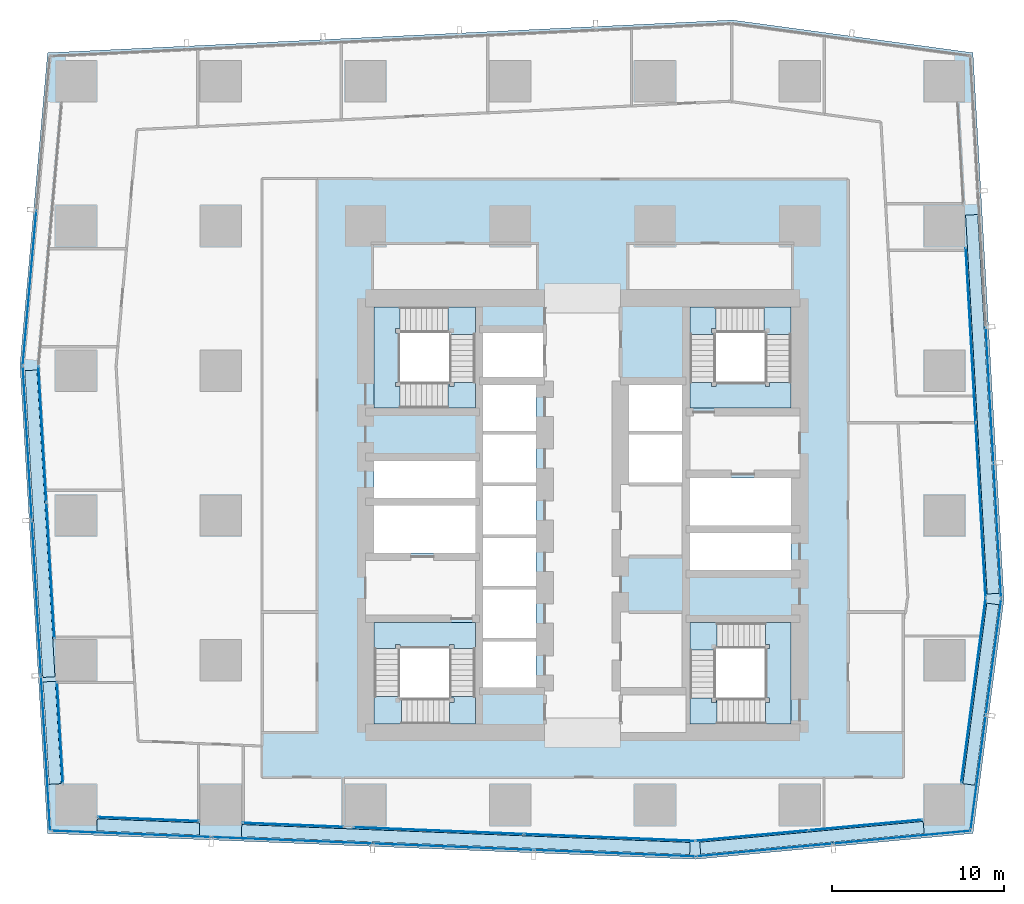
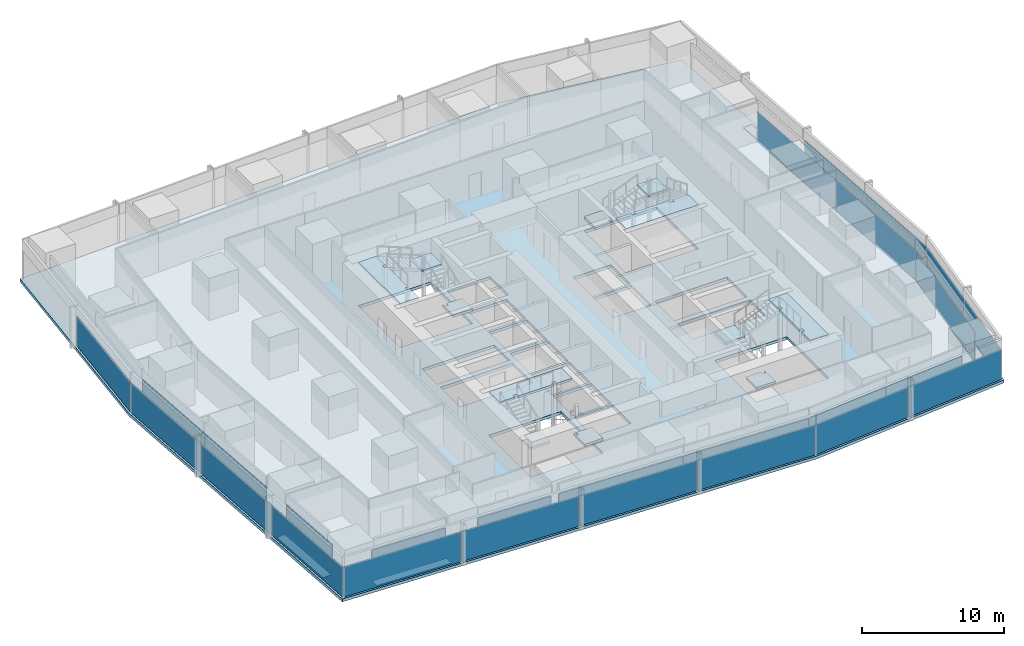
# One storey, part 23 of 37: 33 plates, 13 slabs, 18 elements without a shape of their own.
"""IFC4 building model written with IfcOpenShell, lengths in metres."""

from ifc_helpers import new_model, si_unit, direction, frame, origin, origin_2d, place, context, subcontext, project, spatial, polyline, rectangle, outline, extrude, material, layer, layer_set, type_object, element, aggregate, save


model = new_model("IFC4")

# Units and contexts
model_context = context("Model", 3, precision=1e-05, world=origin(), true_north=direction((0.0, 1.0)))
body_context = subcontext(model_context, "Body", "Model", "MODEL_VIEW")
ifc_project = project(units=[si_unit("LENGTHUNIT", "METRE"), si_unit("AREAUNIT", "SQUARE_METRE"), si_unit("VOLUMEUNIT", "CUBIC_METRE"), si_unit("PLANEANGLEUNIT", "RADIAN"), si_unit("MASSUNIT", "GRAM", prefix="KILO")], contexts=[model_context])

# Site, building, storey
site_placement = place(None, origin())
site = spatial("IfcSite", under=ifc_project, at=site_placement, CompositionType="ELEMENT")
building_placement = place(site_placement, origin())
building = spatial("IfcBuilding", under=site, at=building_placement, Name="Rekha Terrace Tower", CompositionType="ELEMENT")
storey_placement = place(building_placement, frame((0.0, 0.0, 228.949951171875)))
storey = spatial("IfcBuildingStorey", under=building, at=storey_placement, Name="L58", CompositionType="ELEMENT", Elevation=228.949951171875)

# Curtain wall, plate
ifc_material_1 = material(Name="Aluminium framing", Category="aluminium")
curtain_wall_type_1 = type_object("IfcCurtainWallType", Name="CW1 double skin inner glazing", PredefinedType="USERDEFINED", material=ifc_material_1)
curtain_wall_1_placement = place(storey_placement, origin())
curtain_wall_1 = element("IfcCurtainWall", 1, at=curtain_wall_1_placement, inside=storey, type_object=curtain_wall_type_1, Name="CW1 double skin inner glazing", ObjectType="DOUBLE SKIN INNER GLAZING", PredefinedType="USERDEFINED")
ifc_material_2 = material(Name="Double-glazed low-e unit 32", Category="glass")
ifc_layer_1 = layer(ifc_material_2, 0.031982421875)
ifc_layer_set_1 = layer_set([ifc_layer_1], Name="Double-glazed low-e unit 32")
plate_type_1 = type_object("IfcPlateType", Name="CW1 jumbo vision panel, double-glazed low-e unit 32", PredefinedType="CURTAIN_PANEL", material=ifc_layer_set_1)
plate_1_placement = place(storey_placement, frame((12.60009765625, 15.977294921875, 0.0), z_axis=(0.0, 0.0, 1.0), x_axis=(0.999204775798, -0.039872497078, 0.0)))
plate_1 = element("IfcPlate", 2, at=plate_1_placement, type_object=plate_type_1, Name="CW1 panel 1.1", PredefinedType="CURTAIN_PANEL", context=body_context, shape_type="SweptSolid", body=[
    extrude(rectangle(XDim=5.8271484375, YDim=0.031982421875, at=origin_2d()), origin(), (0.0, 0.0, 1.0), 2.60009765625),
])
aggregate(curtain_wall_1, [plate_1])

curtain_wall_2_placement = place(storey_placement, origin())
curtain_wall_2 = element("IfcCurtainWall", 3, at=curtain_wall_2_placement, inside=storey, type_object=curtain_wall_type_1, Name="CW1 double skin inner glazing", ObjectType="DOUBLE SKIN INNER GLAZING", PredefinedType="USERDEFINED")
plate_2_placement = place(storey_placement, frame((21.0, 15.64208984375, 0.0), z_axis=(0.0, 0.0, 1.0), x_axis=(0.999204775798, -0.039872497078, 0.0)))
plate_2 = element("IfcPlate", 4, at=plate_2_placement, type_object=plate_type_1, Name="CW1 panel 1.1", PredefinedType="CURTAIN_PANEL", context=body_context, shape_type="SweptSolid", body=[
    extrude(rectangle(XDim=5.8271484375, YDim=0.031982421875, at=origin_2d()), origin(), (0.0, 0.0, 1.0), 2.60009765625),
])
aggregate(curtain_wall_2, [plate_2])

# Curtain wall, plates
curtain_wall_3_placement = place(storey_placement, origin())
curtain_wall_3 = element("IfcCurtainWall", 5, at=curtain_wall_3_placement, inside=storey, type_object=curtain_wall_type_1, Name="CW1 double skin inner glazing", ObjectType="DOUBLE SKIN INNER GLAZING", PredefinedType="USERDEFINED")
plate_3_placement = place(storey_placement, frame((29.4365234375, 15.3056640625, 0.0), z_axis=(0.0, 0.0, 1.0), x_axis=(0.999204775799, -0.039872497044, 0.0)))
plate_3 = element("IfcPlate", 6, at=plate_3_placement, type_object=plate_type_1, Name="CW1 panel 1.1", PredefinedType="CURTAIN_PANEL", context=body_context, shape_type="SweptSolid", body=[
    extrude(rectangle(XDim=9.838134765625, YDim=0.031982421875, at=origin_2d()), origin(), (0.0, 0.0, 1.0), 2.60009765625),
])
plate_4_placement = place(storey_placement, frame((39.3642578125, 14.909423828125, 0.0), z_axis=(0.0, 0.0, 1.0), x_axis=(0.999204775799, -0.039872497044, 0.0)))
plate_4 = element("IfcPlate", 7, at=plate_4_placement, type_object=plate_type_1, Name="CW1 panel 2.1", PredefinedType="CURTAIN_PANEL", context=body_context, shape_type="SweptSolid", body=[
    extrude(rectangle(XDim=9.903076171875, YDim=0.031982421875, at=origin_2d()), origin(), (0.0, 0.0, 1.0), 2.60009765625),
])
aggregate(curtain_wall_3, [plate_3, plate_4])

curtain_wall_4_placement = place(storey_placement, origin())
curtain_wall_4 = element("IfcCurtainWall", 8, at=curtain_wall_4_placement, inside=storey, type_object=curtain_wall_type_1, Name="CW1 double skin inner glazing", ObjectType="DOUBLE SKIN INNER GLAZING", PredefinedType="USERDEFINED")
plate_5_placement = place(storey_placement, frame((47.642822265625, 15.022216796875, 0.0), z_axis=(0.0, 0.0, 1.0), x_axis=(0.995693258744, 0.092708869546, 0.0)))
plate_5 = element("IfcPlate", 9, at=plate_5_placement, type_object=plate_type_1, Name="CW1 panel 1.1", PredefinedType="CURTAIN_PANEL", context=body_context, shape_type="SweptSolid", body=[
    extrude(rectangle(XDim=6.560791015625, YDim=0.031982421875, at=origin_2d()), origin(), (0.0, 0.0, 1.0), 2.60009765625),
])
plate_6_placement = place(storey_placement, frame((54.240234375, 15.636474609375, 0.0), z_axis=(0.0, 0.0, 1.0), x_axis=(0.995693258744, 0.092708869546, 0.0)))
plate_6 = element("IfcPlate", 10, at=plate_6_placement, type_object=plate_type_1, Name="CW1 panel 2.1", PredefinedType="CURTAIN_PANEL", context=body_context, shape_type="SweptSolid", body=[
    extrude(rectangle(XDim=6.560791015625, YDim=0.031982421875, at=origin_2d()), origin(), (0.0, 0.0, 1.0), 2.60009765625),
])
aggregate(curtain_wall_4, [plate_5, plate_6])

# Curtain wall, plate
curtain_wall_5_placement = place(storey_placement, origin())
curtain_wall_5 = element("IfcCurtainWall", 11, at=curtain_wall_5_placement, inside=storey, type_object=curtain_wall_type_1, Name="CW1 double skin inner glazing", ObjectType="DOUBLE SKIN INNER GLAZING", PredefinedType="USERDEFINED")
plate_7_placement = place(storey_placement, frame((60.478515625, 23.438232421875, 0.0), z_axis=(0.0, 0.0, 1.0), x_axis=(0.131303603041, 0.991342203191, 0.0)))
plate_7 = element("IfcPlate", 12, at=plate_7_placement, type_object=plate_type_1, Name="CW1 panel 1.1", PredefinedType="CURTAIN_PANEL", context=body_context, shape_type="SweptSolid", body=[
    extrude(rectangle(XDim=10.7763671875, YDim=0.031982421875, at=origin_2d()), origin(), (0.0, 0.0, 1.0), 2.60009765625),
])
aggregate(curtain_wall_5, [plate_7])

# Curtain wall, plates
curtain_wall_6_placement = place(storey_placement, origin())
curtain_wall_6 = element("IfcCurtainWall", 13, at=curtain_wall_6_placement, inside=storey, type_object=curtain_wall_type_1, Name="CW1 double skin inner glazing", ObjectType="DOUBLE SKIN INNER GLAZING", PredefinedType="USERDEFINED")
plate_8_placement = place(storey_placement, frame((60.8955078125, 33.896484375, 0.0), z_axis=(0.0, 0.0, 1.0), x_axis=(-0.056673194877, 0.998392782918, 0.0)))
plate_8 = element("IfcPlate", 14, at=plate_8_placement, type_object=plate_type_1, Name="CW1 panel 1.1", PredefinedType="CURTAIN_PANEL", context=body_context, shape_type="SweptSolid", body=[
    extrude(rectangle(XDim=10.11962890625, YDim=0.031982421875, at=origin_2d()), origin(), (0.0, 0.0, 1.0), 2.60009765625),
])
plate_9_placement = place(storey_placement, frame((60.318359375, 44.06494140625, 0.0), z_axis=(0.0, 0.0, 1.0), x_axis=(-0.056673194877, 0.998392782918, 0.0)))
plate_9 = element("IfcPlate", 15, at=plate_9_placement, type_object=plate_type_1, Name="CW1 panel 2.1", PredefinedType="CURTAIN_PANEL", context=body_context, shape_type="SweptSolid", body=[
    extrude(rectangle(XDim=10.11962890625, YDim=0.031982421875, at=origin_2d()), origin(), (0.0, 0.0, 1.0), 2.60009765625),
])
aggregate(curtain_wall_6, [plate_8, plate_9])

curtain_wall_7_placement = place(storey_placement, origin())
curtain_wall_7 = element("IfcCurtainWall", 16, at=curtain_wall_7_placement, inside=storey, type_object=curtain_wall_type_1, Name="CW1 double skin inner glazing", ObjectType="DOUBLE SKIN INNER GLAZING", PredefinedType="USERDEFINED")
plate_10_placement = place(storey_placement, frame((6.44775390625, 38.323974609375, 0.0), z_axis=(0.0, 0.0, 1.0), x_axis=(0.058765082551, -0.998271839267, 0.0)))
plate_10 = element("IfcPlate", 17, at=plate_10_placement, type_object=plate_type_1, Name="CW1 panel 1.1", PredefinedType="CURTAIN_PANEL", context=body_context, shape_type="SweptSolid", body=[
    extrude(rectangle(XDim=7.864990234375, YDim=0.031982421875, at=origin_2d()), origin(), (0.0, 0.0, 1.0), 2.60009765625),
])
plate_11_placement = place(storey_placement, frame((6.91357421875, 30.407470703125, 0.0), z_axis=(0.0, 0.0, 1.0), x_axis=(0.058765082551, -0.998271839267, 0.0)))
plate_11 = element("IfcPlate", 18, at=plate_11_placement, type_object=plate_type_1, Name="CW1 panel 2.1", PredefinedType="CURTAIN_PANEL", context=body_context, shape_type="SweptSolid", body=[
    extrude(rectangle(XDim=7.864990234375, YDim=0.031982421875, at=origin_2d()), origin(), (0.0, 0.0, 1.0), 2.60009765625),
])
aggregate(curtain_wall_7, [plate_10, plate_11])

# Curtain wall, plate
curtain_wall_8_placement = place(storey_placement, origin())
curtain_wall_8 = element("IfcCurtainWall", 19, at=curtain_wall_8_placement, inside=storey, type_object=curtain_wall_type_1, Name="CW1 double skin inner glazing", ObjectType="DOUBLE SKIN INNER GLAZING", PredefinedType="USERDEFINED")
plate_12_placement = place(storey_placement, frame((7.467529296875, 21.0, 0.0), z_axis=(0.0, 0.0, 1.0), x_axis=(0.058765082499, -0.99827183927, 0.0)))
plate_12 = element("IfcPlate", 20, at=plate_12_placement, type_object=plate_type_1, Name="CW1 panel 1.1", PredefinedType="CURTAIN_PANEL", context=body_context, shape_type="SweptSolid", body=[
    extrude(rectangle(XDim=5.8291015625, YDim=0.031982421875, at=origin_2d()), origin(), (0.0, 0.0, 1.0), 2.60009765625),
])
aggregate(curtain_wall_8, [plate_12])

# Curtain wall, plates
curtain_wall_type_2 = type_object("IfcCurtainWallType", Name="CW2 double skin outer glazing", PredefinedType="USERDEFINED", material=ifc_material_1)
curtain_wall_9_placement = place(storey_placement, origin())
curtain_wall_9 = element("IfcCurtainWall", 21, at=curtain_wall_9_placement, inside=storey, type_object=curtain_wall_type_2, Name="CW2 double skin outer glazing", ObjectType="DOUBLE SKIN OUTER GLAZING", PredefinedType="USERDEFINED")
ifc_material_3 = material(Name="Toughened single glazing 12", Category="glass")
ifc_layer_2 = layer(ifc_material_3, 0.011962890625)
ifc_layer_set_2 = layer_set([ifc_layer_2], Name="Toughened single glazing 12")
plate_type_2 = type_object("IfcPlateType", Name="CW2 jumbo vision panel, toughened single glazing 12", PredefinedType="CURTAIN_PANEL", material=ifc_layer_set_2)
plate_13_placement = place(storey_placement, frame((11.6005859375, 15.116455078125, 0.0), z_axis=(0.0, 0.0, 1.0), x_axis=(0.999204775799, -0.039872497044, 0.0)))
plate_13 = element("IfcPlate", 22, at=plate_13_placement, type_object=plate_type_2, Name="CW2 panel 1.1", PredefinedType="CURTAIN_PANEL", context=body_context, shape_type="SweptSolid", body=[
    extrude(rectangle(XDim=9.24609375, YDim=0.011962890625, at=origin_2d()), origin(), (0.0, 0.0, 1.0), 2.60009765625),
])
plate_14_placement = place(storey_placement, frame((20.939208984375, 14.743896484375, 0.0), z_axis=(0.0, 0.0, 1.0), x_axis=(0.999204775799, -0.039872497044, 0.0)))
plate_14 = element("IfcPlate", 23, at=plate_14_placement, type_object=plate_type_2, Name="CW2 panel 2.1", PredefinedType="CURTAIN_PANEL", context=body_context, shape_type="SweptSolid", body=[
    extrude(rectangle(XDim=9.2861328125, YDim=0.011962890625, at=origin_2d()), origin(), (0.0, 0.0, 1.0), 2.60009765625),
])
plate_15_placement = place(storey_placement, frame((30.2978515625, 14.370361328125, 0.0), z_axis=(0.0, 0.0, 1.0), x_axis=(0.999204775799, -0.039872497044, 0.0)))
plate_15 = element("IfcPlate", 24, at=plate_15_placement, type_object=plate_type_2, Name="CW2 panel 3.1", PredefinedType="CURTAIN_PANEL", context=body_context, shape_type="SweptSolid", body=[
    extrude(rectangle(XDim=9.2861328125, YDim=0.011962890625, at=origin_2d()), origin(), (0.0, 0.0, 1.0), 2.60009765625),
])
plate_16_placement = place(storey_placement, frame((39.676513671875, 13.996337890625, 0.0), z_axis=(0.0, 0.0, 1.0), x_axis=(0.999204775799, -0.039872497044, 0.0)))
plate_16 = element("IfcPlate", 25, at=plate_16_placement, type_object=plate_type_2, Name="CW2 panel 4.1", PredefinedType="CURTAIN_PANEL", context=body_context, shape_type="SweptSolid", body=[
    extrude(rectangle(XDim=9.326171875, YDim=0.011962890625, at=origin_2d()), origin(), (0.0, 0.0, 1.0), 2.60009765625),
])
aggregate(curtain_wall_9, [plate_13, plate_14, plate_15, plate_16])

curtain_wall_10_placement = place(storey_placement, origin())
curtain_wall_10 = element("IfcCurtainWall", 26, at=curtain_wall_10_placement, inside=storey, type_object=curtain_wall_type_2, Name="CW2 double skin outer glazing", ObjectType="DOUBLE SKIN OUTER GLAZING", PredefinedType="USERDEFINED")
plate_17_placement = place(storey_placement, frame((48.348876953125, 14.183837890625, 0.0), z_axis=(0.0, 0.0, 1.0), x_axis=(0.995693258747, 0.092708869512, 0.0)))
plate_17 = element("IfcPlate", 27, at=plate_17_placement, type_object=plate_type_2, Name="CW2 panel 1.1", PredefinedType="CURTAIN_PANEL", context=body_context, shape_type="SweptSolid", body=[
    extrude(rectangle(XDim=7.900634765625, YDim=0.011962890625, at=origin_2d()), origin(), (0.0, 0.0, 1.0), 2.60009765625),
])
plate_18_placement = place(storey_placement, frame((56.3349609375, 14.927490234375, 0.0), z_axis=(0.0, 0.0, 1.0), x_axis=(0.995693258747, 0.092708869512, 0.0)))
plate_18 = element("IfcPlate", 28, at=plate_18_placement, type_object=plate_type_2, Name="CW2 panel 2.1", PredefinedType="CURTAIN_PANEL", context=body_context, shape_type="SweptSolid", body=[
    extrude(rectangle(XDim=7.980712890625, YDim=0.011962890625, at=origin_2d()), origin(), (0.0, 0.0, 1.0), 2.60009765625),
])
aggregate(curtain_wall_10, [plate_17, plate_18])

curtain_wall_11_placement = place(storey_placement, origin())
curtain_wall_11 = element("IfcCurtainWall", 29, at=curtain_wall_11_placement, inside=storey, type_object=curtain_wall_type_2, Name="CW2 double skin outer glazing", ObjectType="DOUBLE SKIN OUTER GLAZING", PredefinedType="USERDEFINED")
plate_19_placement = place(storey_placement, frame((60.756103515625, 18.679443359375, 0.0), z_axis=(0.0, 0.0, 1.0), x_axis=(0.131303603075, 0.991342203187, 0.0)))
plate_19 = element("IfcPlate", 30, at=plate_19_placement, type_object=plate_type_2, Name="CW2 panel 1.1", PredefinedType="CURTAIN_PANEL", context=body_context, shape_type="SweptSolid", body=[
    extrude(rectangle(XDim=6.6630859375, YDim=0.011962890625, at=origin_2d()), origin(), (0.0, 0.0, 1.0), 2.60009765625),
])
plate_20_placement = place(storey_placement, frame((61.646728515625, 25.40380859375, 0.0), z_axis=(0.0, 0.0, 1.0), x_axis=(0.131303603075, 0.991342203187, 0.0)))
plate_20 = element("IfcPlate", 31, at=plate_20_placement, type_object=plate_type_2, Name="CW2 panel 2.1", PredefinedType="CURTAIN_PANEL", context=body_context, shape_type="SweptSolid", body=[
    extrude(rectangle(XDim=6.742919921875, YDim=0.011962890625, at=origin_2d()), origin(), (0.0, 0.0, 1.0), 2.60009765625),
])
aggregate(curtain_wall_11, [plate_19, plate_20])

curtain_wall_12_placement = place(storey_placement, origin())
curtain_wall_12 = element("IfcCurtainWall", 32, at=curtain_wall_12_placement, inside=storey, type_object=curtain_wall_type_2, Name="CW2 double skin outer glazing", ObjectType="DOUBLE SKIN OUTER GLAZING", PredefinedType="USERDEFINED")
plate_21_placement = place(storey_placement, frame((61.8642578125, 32.71142578125, 0.0), z_axis=(0.0, 0.0, 1.0), x_axis=(-0.05667319486, 0.998392782919, 0.0)))
plate_21 = element("IfcPlate", 33, at=plate_21_placement, type_object=plate_type_2, Name="CW2 panel 1.1", PredefinedType="CURTAIN_PANEL", context=body_context, shape_type="SweptSolid", body=[
    extrude(rectangle(XDim=7.783447265625, YDim=0.011962890625, at=origin_2d()), origin(), (0.0, 0.0, 1.0), 2.60009765625),
])
plate_22_placement = place(storey_placement, frame((61.41748046875, 40.582275390625, 0.0), z_axis=(0.0, 0.0, 1.0), x_axis=(-0.05667319486, 0.998392782919, 0.0)))
plate_22 = element("IfcPlate", 34, at=plate_22_placement, type_object=plate_type_2, Name="CW2 panel 2.1", PredefinedType="CURTAIN_PANEL", context=body_context, shape_type="SweptSolid", body=[
    extrude(rectangle(XDim=7.823486328125, YDim=0.011962890625, at=origin_2d()), origin(), (0.0, 0.0, 1.0), 2.60009765625),
])
aggregate(curtain_wall_12, [plate_21, plate_22])

# Curtain wall, plate
curtain_wall_13_placement = place(storey_placement, origin())
curtain_wall_13 = element("IfcCurtainWall", 35, at=curtain_wall_13_placement, inside=storey, type_object=curtain_wall_type_2, Name="CW2 double skin outer glazing", ObjectType="DOUBLE SKIN OUTER GLAZING", PredefinedType="USERDEFINED")
plate_23_placement = place(storey_placement, frame((5.705322265625, 46.800048828125, 0.0), z_axis=(0.0, 0.0, 1.0), x_axis=(-0.087957985453, -0.996124185428, 0.0)))
plate_23 = element("IfcPlate", 36, at=plate_23_placement, type_object=plate_type_2, Name="CW2 panel 2.1", PredefinedType="CURTAIN_PANEL", context=body_context, shape_type="SweptSolid", body=[
    extrude(rectangle(XDim=8.9794921875, YDim=0.011962890625, at=origin_2d()), origin(), (0.0, 0.0, 1.0), 2.60009765625),
])
aggregate(curtain_wall_13, [plate_23])

# Curtain wall, plates
curtain_wall_14_placement = place(storey_placement, origin())
curtain_wall_14 = element("IfcCurtainWall", 37, at=curtain_wall_14_placement, inside=storey, type_object=curtain_wall_type_2, Name="CW2 double skin outer glazing", ObjectType="DOUBLE SKIN OUTER GLAZING", PredefinedType="USERDEFINED")
plate_24_placement = place(storey_placement, frame((5.57666015625, 37.8037109375, 0.0), z_axis=(0.0, 0.0, 1.0), x_axis=(0.058765082499, -0.99827183927, 0.0)))
plate_24 = element("IfcPlate", 38, at=plate_24_placement, type_object=plate_type_2, Name="CW2 panel 1.1", PredefinedType="CURTAIN_PANEL", context=body_context, shape_type="SweptSolid", body=[
    extrude(rectangle(XDim=8.903564453125, YDim=0.011962890625, at=origin_2d()), origin(), (0.0, 0.0, 1.0), 2.60009765625),
])
plate_25_placement = place(storey_placement, frame((6.105712890625, 28.81591796875, 0.0), z_axis=(0.0, 0.0, 1.0), x_axis=(0.058765082499, -0.99827183927, 0.0)))
plate_25 = element("IfcPlate", 39, at=plate_25_placement, type_object=plate_type_2, Name="CW2 panel 2.1", PredefinedType="CURTAIN_PANEL", context=body_context, shape_type="SweptSolid", body=[
    extrude(rectangle(XDim=8.943359375, YDim=0.011962890625, at=origin_2d()), origin(), (0.0, 0.0, 1.0), 2.60009765625),
])
plate_26_placement = place(storey_placement, frame((6.63720703125, 19.7880859375, 0.0), z_axis=(0.0, 0.0, 1.0), x_axis=(0.058765082499, -0.99827183927, 0.0)))
plate_26 = element("IfcPlate", 40, at=plate_26_placement, type_object=plate_type_2, Name="CW2 panel 3.1", PredefinedType="CURTAIN_PANEL", context=body_context, shape_type="SweptSolid", body=[
    extrude(rectangle(XDim=8.9833984375, YDim=0.011962890625, at=origin_2d()), origin(), (0.0, 0.0, 1.0), 2.60009765625),
])
aggregate(curtain_wall_14, [plate_24, plate_25, plate_26])

# Plates
ifc_material_4 = material(Name="Galvanised steel open grating", Category="steel")
ifc_layer_3 = layer(ifc_material_4, 0.050048828125)
ifc_layer_set_3 = layer_set([ifc_layer_3], Name="Galvanised steel open grating")
plate_type_3 = type_object("IfcPlateType", Name="GT1 cavity walkway grating 50", PredefinedType="USERDEFINED", material=ifc_layer_set_3)
plate_27_placement = place(storey_placement, frame((12.593505859375, 15.52734375, 0.0), z_axis=(0.0, 0.0, 1.0), x_axis=(0.999204775799, -0.039872497044, 0.0)))
element("IfcPlate", 41, at=plate_27_placement, inside=storey, type_object=plate_type_3, Name="Cavity walkway grating", ObjectType="CAVITY WALKWAY GRATING", PredefinedType="USERDEFINED", context=body_context, shape_type="SweptSolid", body=[
    extrude(rectangle(XDim=5.947998046875, YDim=0.705078125, at=origin_2d()), origin(), (0.0, 0.0, 1.0), 0.050048828125),
])
plate_28_placement = place(storey_placement, frame((31.016357421875, 14.792236328125, 0.0), z_axis=(0.0, 0.0, 1.0), x_axis=(0.999204775799, -0.039872497044, 0.0)))
element("IfcPlate", 42, at=plate_28_placement, inside=storey, type_object=plate_type_3, Name="Cavity walkway grating", ObjectType="CAVITY WALKWAY GRATING", PredefinedType="USERDEFINED", context=body_context, shape_type="SweptSolid", body=[
    extrude(rectangle(XDim=26.036376953125, YDim=0.705078125, at=origin_2d()), origin(), (0.0, 0.0, 1.0), 0.050048828125),
])
plate_29_placement = place(storey_placement, frame((51.10595703125, 14.892578125, 0.0), z_axis=(0.0, 0.0, 1.0), x_axis=(0.995693258745, 0.092708869529, 0.0)))
element("IfcPlate", 43, at=plate_29_placement, inside=storey, type_object=plate_type_3, Name="Cavity walkway grating", ObjectType="CAVITY WALKWAY GRATING", PredefinedType="USERDEFINED", context=body_context, shape_type="SweptSolid", body=[
    extrude(rectangle(XDim=13.023193359375, YDim=0.705078125, at=origin_2d()), origin(), (0.0, 0.0, 1.0), 0.050048828125),
])
plate_30_placement = place(storey_placement, frame((60.90478515625, 23.22900390625, 0.0), z_axis=(0.0, 0.0, 1.0), x_axis=(0.131303603075, 0.991342203187, 0.0)))
element("IfcPlate", 44, at=plate_30_placement, inside=storey, type_object=plate_type_3, Name="Cavity walkway grating", ObjectType="CAVITY WALKWAY GRATING", PredefinedType="USERDEFINED", context=body_context, shape_type="SweptSolid", body=[
    extrude(rectangle(XDim=10.56494140625, YDim=0.705078125, at=origin_2d()), origin(), (0.0, 0.0, 1.0), 0.050048828125),
])
plate_31_placement = place(storey_placement, frame((60.996826171875, 40.052490234375, 0.0), z_axis=(0.0, 0.0, 1.0), x_axis=(-0.05667319486, 0.998392782919, 0.0)))
element("IfcPlate", 45, at=plate_31_placement, inside=storey, type_object=plate_type_3, Name="Cavity walkway grating", ObjectType="CAVITY WALKWAY GRATING", PredefinedType="USERDEFINED", context=body_context, shape_type="SweptSolid", body=[
    extrude(rectangle(XDim=22.015380859375, YDim=0.705078125, at=origin_2d()), origin(), (0.0, 0.0, 1.0), 0.050048828125),
])
plate_32_placement = place(storey_placement, frame((6.302978515625, 33.1220703125, 0.0), z_axis=(0.0, 0.0, 1.0), x_axis=(0.058765082516, -0.998271839269, 0.0)))
element("IfcPlate", 46, at=plate_32_placement, inside=storey, type_object=plate_type_3, Name="Cavity walkway grating", ObjectType="CAVITY WALKWAY GRATING", PredefinedType="USERDEFINED", context=body_context, shape_type="SweptSolid", body=[
    extrude(rectangle(XDim=17.82958984375, YDim=0.705078125, at=origin_2d()), origin(), (0.0, 0.0, 1.0), 0.050048828125),
])
plate_33_placement = place(storey_placement, frame((7.017333984375, 20.98876953125, 0.0), z_axis=(0.0, 0.0, 1.0), x_axis=(0.058765082516, -0.998271839269, 0.0)))
element("IfcPlate", 47, at=plate_33_placement, inside=storey, type_object=plate_type_3, Name="Cavity walkway grating", ObjectType="CAVITY WALKWAY GRATING", PredefinedType="USERDEFINED", context=body_context, shape_type="SweptSolid", body=[
    extrude(rectangle(XDim=5.948974609375, YDim=0.705078125, at=origin_2d()), origin(), (0.0, 0.0, 1.0), 0.050048828125),
])

# Stair, slabs
ifc_material_5 = material(Name="Concrete M40", Category="concrete")
stair_type = type_object("IfcStairType", Name="ST30 stair, 30 risers of 125, going 310, 1500 wide flights, 3 flights", PredefinedType="HALF_TURN_STAIR", material=ifc_material_5)
stair_1_placement = place(storey_placement, origin())
stair_1 = element("IfcStair", 48, at=stair_1_placement, inside=storey, type_object=stair_type, Name="Stair ST1 L58 to L59", PredefinedType="HALF_TURN_STAIR")
ifc_layer_4 = layer(ifc_material_5, 0.199951171875)
ifc_layer_set_4 = layer_set([ifc_layer_4], Name="Concrete M40")
slab_type_1 = type_object("IfcSlabType", Name="LD1 200 concrete stair landing", PredefinedType="LANDING", material=ifc_layer_set_4)
slab_1_placement = place(storey_placement, frame((0.0, 0.0, 1.050048828125)))
slab_1 = element("IfcSlab", 49, at=slab_1_placement, type_object=slab_type_1, Name="ST1 landing 1", PredefinedType="LANDING", context=body_context, shape_type="SweptSolid", body=[
    extrude(outline(polyline([(30.074951171875, 21.5), (31.574951171875, 21.5), (31.574951171875, 23.0849609375), (30.074951171875, 23.0849609375), (30.074951171875, 23.0), (30.324951171875, 23.0), (30.324951171875, 22.75), (30.074951171875, 22.75), (30.074951171875, 21.5)])), origin(), (0.0, 0.0, 1.0), 0.199951171875),
])
slab_2_placement = place(storey_placement, frame((0.0, 0.0, 2.300048828125)))
slab_2 = element("IfcSlab", 50, at=slab_2_placement, type_object=slab_type_1, Name="ST1 landing 2", PredefinedType="LANDING", context=body_context, shape_type="SweptSolid", body=[
    extrude(outline(polyline([(27.199951171875, 23.0849609375), (25.699951171875, 23.0849609375), (25.699951171875, 21.5), (27.284912109375, 21.5), (27.284912109375, 23.0), (27.199951171875, 23.0), (27.199951171875, 23.0849609375)])), origin(), (0.0, 0.0, 1.0), 0.199951171875),
])
slab_3_placement = place(storey_placement, frame((0.0, 0.0, 3.550048828125)))
slab_3 = element("IfcSlab", 51, at=slab_3_placement, type_object=slab_type_1, Name="ST1 landing 3", PredefinedType="LANDING", context=body_context, shape_type="SweptSolid", body=[
    extrude(outline(polyline([(31.574951171875, 25.875), (31.574951171875, 27.375), (25.699951171875, 27.375), (25.699951171875, 25.875), (26.949951171875, 25.875), (26.949951171875, 26.125), (27.199951171875, 26.125), (27.199951171875, 25.875), (30.074951171875, 25.875), (30.074951171875, 26.125), (30.324951171875, 26.125), (30.324951171875, 25.875), (31.574951171875, 25.875)])), origin(), (0.0, 0.0, 1.0), 0.199951171875),
])
aggregate(stair_1, [slab_1, slab_2, slab_3])

stair_2_placement = place(storey_placement, origin())
stair_2 = element("IfcStair", 52, at=stair_2_placement, inside=storey, type_object=stair_type, Name="Stair ST2 L58 to L59", PredefinedType="HALF_TURN_STAIR")
slab_4_placement = place(storey_placement, frame((0.0, 0.0, 1.050048828125)))
slab_4 = element("IfcSlab", 53, at=slab_4_placement, type_object=slab_type_1, Name="ST2 landing 1", PredefinedType="LANDING", context=body_context, shape_type="SweptSolid", body=[
    extrude(outline(polyline([(45.52490234375, 45.699951171875), (44.02490234375, 45.699951171875), (44.02490234375, 44.114990234375), (45.52490234375, 44.114990234375), (45.52490234375, 44.199951171875), (45.27490234375, 44.199951171875), (45.27490234375, 44.449951171875), (45.52490234375, 44.449951171875), (45.52490234375, 45.699951171875)])), origin(), (0.0, 0.0, 1.0), 0.199951171875),
])
slab_5_placement = place(storey_placement, frame((0.0, 0.0, 2.300048828125)))
slab_5 = element("IfcSlab", 54, at=slab_5_placement, type_object=slab_type_1, Name="ST2 landing 2", PredefinedType="LANDING", context=body_context, shape_type="SweptSolid", body=[
    extrude(outline(polyline([(48.39990234375, 44.114990234375), (49.89990234375, 44.114990234375), (49.89990234375, 45.699951171875), (48.31494140625, 45.699951171875), (48.31494140625, 44.199951171875), (48.39990234375, 44.199951171875), (48.39990234375, 44.114990234375)])), origin(), (0.0, 0.0, 1.0), 0.199951171875),
])
slab_6_placement = place(storey_placement, frame((0.0, 0.0, 3.550048828125)))
slab_6 = element("IfcSlab", 55, at=slab_6_placement, type_object=slab_type_1, Name="ST2 landing 3", PredefinedType="LANDING", context=body_context, shape_type="SweptSolid", body=[
    extrude(outline(polyline([(44.02490234375, 41.324951171875), (44.02490234375, 39.824951171875), (49.89990234375, 39.824951171875), (49.89990234375, 41.324951171875), (48.64990234375, 41.324951171875), (48.64990234375, 41.074951171875), (48.39990234375, 41.074951171875), (48.39990234375, 41.324951171875), (45.52490234375, 41.324951171875), (45.52490234375, 41.074951171875), (45.27490234375, 41.074951171875), (45.27490234375, 41.324951171875), (44.02490234375, 41.324951171875)])), origin(), (0.0, 0.0, 1.0), 0.199951171875),
])
aggregate(stair_2, [slab_4, slab_5, slab_6])

stair_3_placement = place(storey_placement, origin())
stair_3 = element("IfcStair", 56, at=stair_3_placement, inside=storey, type_object=stair_type, Name="Stair ST3 L58 to L59", PredefinedType="HALF_TURN_STAIR")
slab_7_placement = place(storey_placement, frame((0.0, 0.0, 1.050048828125)))
slab_7 = element("IfcSlab", 57, at=slab_7_placement, type_object=slab_type_1, Name="ST3 landing 1", PredefinedType="LANDING", context=body_context, shape_type="SweptSolid", body=[
    extrude(outline(polyline([(44.02490234375, 23.0), (44.02490234375, 21.5), (45.610107421875, 21.5), (45.610107421875, 23.0), (45.52490234375, 23.0), (45.52490234375, 22.75), (45.27490234375, 22.75), (45.27490234375, 23.0), (44.02490234375, 23.0)])), origin(), (0.0, 0.0, 1.0), 0.199951171875),
])
slab_8_placement = place(storey_placement, frame((0.0, 0.0, 2.300048828125)))
slab_8 = element("IfcSlab", 58, at=slab_8_placement, type_object=slab_type_1, Name="ST3 landing 2", PredefinedType="LANDING", context=body_context, shape_type="SweptSolid", body=[
    extrude(outline(polyline([(45.610107421875, 25.875), (45.610107421875, 27.375), (44.02490234375, 27.375), (44.02490234375, 25.7900390625), (45.52490234375, 25.7900390625), (45.52490234375, 25.875), (45.610107421875, 25.875)])), origin(), (0.0, 0.0, 1.0), 0.199951171875),
])
slab_9_placement = place(storey_placement, frame((0.0, 0.0, 3.550048828125)))
slab_9 = element("IfcSlab", 59, at=slab_9_placement, type_object=slab_type_1, Name="ST3 landing 3", PredefinedType="LANDING", context=body_context, shape_type="SweptSolid", body=[
    extrude(outline(polyline([(48.39990234375, 21.5), (49.89990234375, 21.5), (49.89990234375, 27.375), (48.39990234375, 27.375), (48.39990234375, 26.125), (48.64990234375, 26.125), (48.64990234375, 25.875), (48.39990234375, 25.875), (48.39990234375, 23.0), (48.64990234375, 23.0), (48.64990234375, 22.75), (48.39990234375, 22.75), (48.39990234375, 21.5)])), origin(), (0.0, 0.0, 1.0), 0.199951171875),
])
aggregate(stair_3, [slab_7, slab_8, slab_9])

stair_4_placement = place(storey_placement, origin())
stair_4 = element("IfcStair", 60, at=stair_4_placement, inside=storey, type_object=stair_type, Name="Stair ST4 L58 to L59", PredefinedType="HALF_TURN_STAIR")
slab_10_placement = place(storey_placement, frame((0.0, 0.0, 1.050048828125)))
slab_10 = element("IfcSlab", 61, at=slab_10_placement, type_object=slab_type_1, Name="ST4 landing 1", PredefinedType="LANDING", context=body_context, shape_type="SweptSolid", body=[
    extrude(outline(polyline([(31.574951171875, 41.324951171875), (31.574951171875, 39.824951171875), (29.989990234375, 39.824951171875), (29.989990234375, 41.324951171875), (30.074951171875, 41.324951171875), (30.074951171875, 41.074951171875), (30.324951171875, 41.074951171875), (30.324951171875, 41.324951171875), (31.574951171875, 41.324951171875)])), origin(), (0.0, 0.0, 1.0), 0.199951171875),
])
slab_11_placement = place(storey_placement, frame((0.0, 0.0, 2.300048828125)))
slab_11 = element("IfcSlab", 62, at=slab_11_placement, type_object=slab_type_1, Name="ST4 landing 2", PredefinedType="LANDING", context=body_context, shape_type="SweptSolid", body=[
    extrude(outline(polyline([(29.989990234375, 44.199951171875), (29.989990234375, 45.699951171875), (31.574951171875, 45.699951171875), (31.574951171875, 44.114990234375), (30.074951171875, 44.114990234375), (30.074951171875, 44.199951171875), (29.989990234375, 44.199951171875)])), origin(), (0.0, 0.0, 1.0), 0.199951171875),
])
slab_12_placement = place(storey_placement, frame((0.0, 0.0, 3.550048828125)))
slab_12 = element("IfcSlab", 63, at=slab_12_placement, type_object=slab_type_1, Name="ST4 landing 3", PredefinedType="LANDING", context=body_context, shape_type="SweptSolid", body=[
    extrude(outline(polyline([(27.199951171875, 39.824951171875), (25.699951171875, 39.824951171875), (25.699951171875, 45.699951171875), (27.199951171875, 45.699951171875), (27.199951171875, 44.449951171875), (26.949951171875, 44.449951171875), (26.949951171875, 44.199951171875), (27.199951171875, 44.199951171875), (27.199951171875, 41.324951171875), (26.949951171875, 41.324951171875), (26.949951171875, 41.074951171875), (27.199951171875, 41.074951171875), (27.199951171875, 39.824951171875)])), origin(), (0.0, 0.0, 1.0), 0.199951171875),
])
aggregate(stair_4, [slab_10, slab_11, slab_12])

# Slab
ifc_material_6 = material(Name="Concrete M50", Category="concrete")
ifc_layer_5 = layer(ifc_material_6, 0.25)
ifc_layer_set_5 = layer_set([ifc_layer_5], Name="Concrete M50")
slab_type_2 = type_object("IfcSlabType", Name="SL4 250 post-tensioned flat plate", PredefinedType="FLOOR", material=ifc_layer_set_5)
slab_13_placement = place(storey_placement, frame((0.0, 0.0, -0.25)))
element("IfcSlab", 64, at=slab_13_placement, inside=storey, type_object=slab_type_2, Name="Post-tensioned flat plate L58", PredefinedType="FLOOR", context=body_context, shape_type="SweptSolid", body=[
    extrude(outline(polyline([(5.14990234375, 42.330078125), (6.75, 15.14990234375), (44.340087890625, 13.64990234375), (60.449951171875, 15.14990234375), (62.25, 28.739990234375), (60.449951171875, 60.449951171875), (46.488037109375, 62.35009765625), (6.75, 60.449951171875), (5.14990234375, 42.330078125)]), holes=[polyline([(31.574951171875, 27.375), (31.574951171875, 21.5), (25.699951171875, 21.5), (25.699951171875, 27.375), (31.574951171875, 27.375)]), polyline([(35.10009765625, 26.300048828125), (35.10009765625, 23.625), (32.02490234375, 23.625), (32.02490234375, 26.300048828125), (35.10009765625, 26.300048828125)]), polyline([(35.10009765625, 29.300048828125), (35.10009765625, 26.5), (32.02490234375, 26.5), (32.02490234375, 29.300048828125), (35.10009765625, 29.300048828125)]), polyline([(35.10009765625, 32.300048828125), (35.10009765625, 29.5), (32.02490234375, 29.5), (32.02490234375, 32.300048828125), (35.10009765625, 32.300048828125)]), polyline([(31.574951171875, 34.175048828125), (31.574951171875, 31.425048828125), (25.699951171875, 31.425048828125), (25.699951171875, 34.175048828125), (31.574951171875, 34.175048828125)]), polyline([(35.10009765625, 35.300048828125), (35.10009765625, 32.5), (32.02490234375, 32.5), (32.02490234375, 35.300048828125), (35.10009765625, 35.300048828125)]), polyline([(31.574951171875, 36.77490234375), (31.574951171875, 34.625), (25.699951171875, 34.625), (25.699951171875, 36.77490234375), (31.574951171875, 36.77490234375)]), polyline([(35.10009765625, 38.300048828125), (35.10009765625, 35.5), (32.02490234375, 35.5), (32.02490234375, 38.300048828125), (35.10009765625, 38.300048828125)]), polyline([(31.574951171875, 45.699951171875), (31.574951171875, 39.824951171875), (25.699951171875, 39.824951171875), (25.699951171875, 45.699951171875), (31.574951171875, 45.699951171875)]), polyline([(49.89990234375, 27.375), (49.89990234375, 21.5), (44.02490234375, 21.5), (44.02490234375, 27.375), (49.89990234375, 27.375)]), polyline([(49.89990234375, 32.574951171875), (49.89990234375, 30.425048828125), (44.02490234375, 30.425048828125), (44.02490234375, 32.574951171875), (49.89990234375, 32.574951171875)]), polyline([(49.89990234375, 35.77490234375), (49.89990234375, 33.02490234375), (44.02490234375, 33.02490234375), (44.02490234375, 35.77490234375), (49.89990234375, 35.77490234375)]), polyline([(43.574951171875, 38.300048828125), (43.574951171875, 35.5), (40.5, 35.5), (40.5, 38.300048828125), (43.574951171875, 38.300048828125)]), polyline([(35.10009765625, 41.175048828125), (35.10009765625, 38.5), (32.02490234375, 38.5), (32.02490234375, 41.175048828125), (35.10009765625, 41.175048828125)]), polyline([(43.574951171875, 41.175048828125), (43.574951171875, 38.5), (40.5, 38.5), (40.5, 41.175048828125), (43.574951171875, 41.175048828125)]), polyline([(49.89990234375, 39.824951171875), (44.02490234375, 39.824951171875), (44.02490234375, 45.699951171875), (49.89990234375, 45.699951171875), (49.89990234375, 39.824951171875)]), polyline([(35.5, 41.625), (32.02490234375, 41.625), (32.02490234375, 44.175048828125), (35.5, 44.175048828125), (35.5, 41.625)])]), origin(), (0.0, 0.0, 1.0), 0.25),
])

save(model, "model.ifc")
